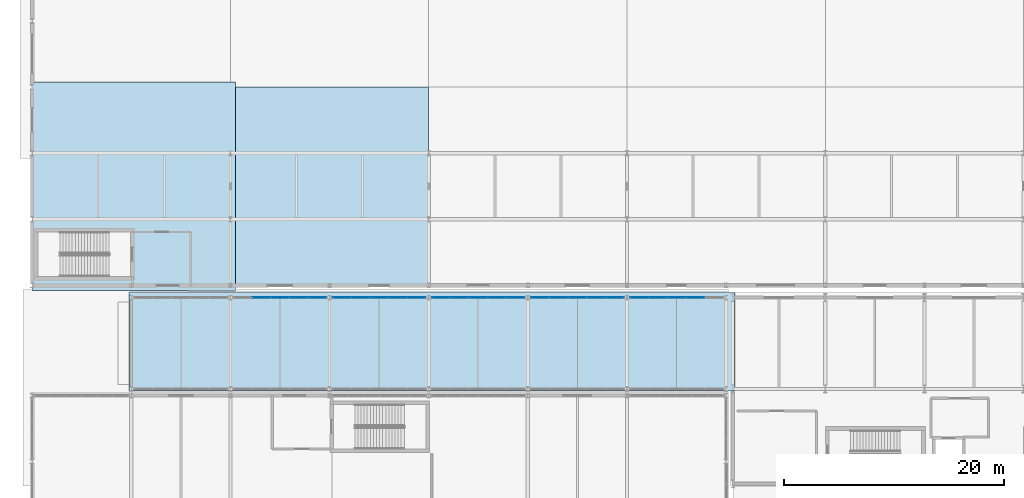
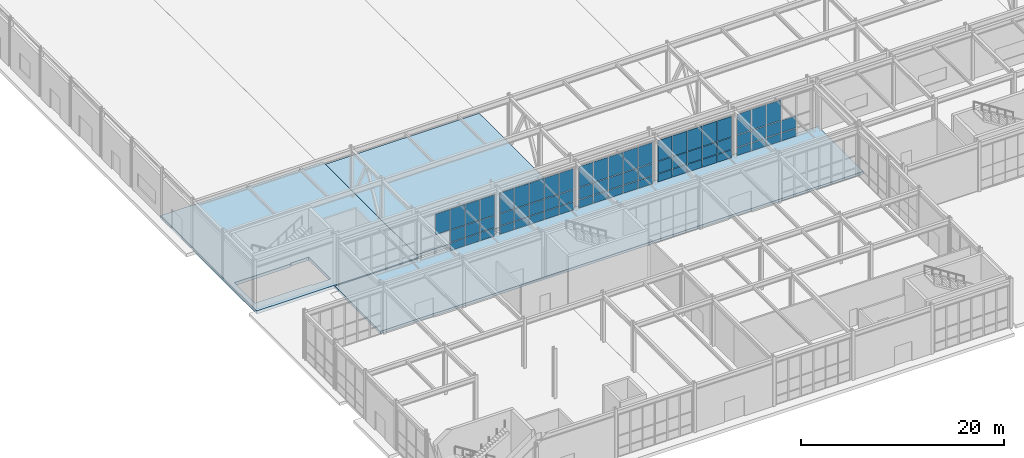
# One storey, part 106 of 146: 66 plates, 3 slabs, 5 elements without a shape of their own.
"""IFC4 building model written with IfcOpenShell, lengths in metres."""

from ifc_helpers import new_model, si_unit, direction, frame, origin, origin_2d, place, context, subcontext, project, spatial, polyline, rectangle, outline, extrude, material, layer, layer_set, type_object, element, aggregate, save


model = new_model("IFC4")

# Units and contexts
model_context = context("Model", 3, precision=1e-05, world=origin(), true_north=direction((0.0, 1.0)))
body_context = subcontext(model_context, "Body", "Model", "MODEL_VIEW")
ifc_project = project(units=[si_unit("LENGTHUNIT", "METRE"), si_unit("AREAUNIT", "SQUARE_METRE"), si_unit("VOLUMEUNIT", "CUBIC_METRE"), si_unit("PLANEANGLEUNIT", "RADIAN"), si_unit("MASSUNIT", "GRAM", prefix="KILO")], contexts=[model_context])

# Site, building, storey
site_placement = place(None, origin())
site = spatial("IfcSite", under=ifc_project, at=site_placement, CompositionType="ELEMENT")
building_placement = place(site_placement, origin())
building = spatial("IfcBuilding", under=site, at=building_placement, Name="Kaldris Quays Convention Centre", CompositionType="ELEMENT")
storey_placement = place(building_placement, origin())
storey = spatial("IfcBuildingStorey", under=building, at=storey_placement, Name="L00", CompositionType="ELEMENT", Elevation=0.0)

# Curtain wall, plates
ifc_material_1 = material(Name="Anodized aluminium AW-6060 and triple glazing", Category="aluminium")
curtain_wall_type = type_object("IfcCurtainWallType", Name="UNITISED CURTAIN WALL CW02", PredefinedType="NOTDEFINED", material=ifc_material_1)
curtain_wall_1_placement = place(storey_placement, origin())
curtain_wall_1 = element("IfcCurtainWall", 1, at=curtain_wall_1_placement, inside=storey, type_object=curtain_wall_type, Name="L00 Unitised Curtain Wall CW02 81", PredefinedType="NOTDEFINED")
ifc_material_2 = material(Name="Triple low-E insulated glazing", Category="glass")
plate_type_1 = type_object("IfcPlateType", Name="CURTAIN GLAZING PANEL CWP1", PredefinedType="CURTAIN_PANEL", material=ifc_material_2)
plate_1_placement = place(storey_placement, frame((40.800048828125, 54.89990234375, 2.580078125), z_axis=(0.0, 0.0, 1.0), x_axis=(1.0, 0.0, 0.0)))
plate_1 = element("IfcPlate", 2, at=plate_1_placement, type_object=plate_type_1, Name="CW02 panel 2.3", PredefinedType="CURTAIN_PANEL", context=body_context, shape_type="SweptSolid", body=[
    extrude(rectangle(XDim=1.639892578125, YDim=0.029052734375, at=origin_2d()), origin(), (0.0, 0.0, 1.0), 2.4599609375),
])
plate_2_placement = place(storey_placement, frame((42.5, 54.89990234375, 0.06005859375), z_axis=(0.0, 0.0, 1.0), x_axis=(1.0, 0.0, 0.0)))
plate_2 = element("IfcPlate", 3, at=plate_2_placement, type_object=plate_type_1, Name="CW02 panel 3.1", PredefinedType="CURTAIN_PANEL", context=body_context, shape_type="SweptSolid", body=[
    extrude(rectangle(XDim=1.639892578125, YDim=0.029052734375, at=origin_2d()), origin(), (0.0, 0.0, 1.0), 0.9599609375),
])
plate_3_placement = place(storey_placement, frame((42.5, 54.89990234375, 1.080078125), z_axis=(0.0, 0.0, 1.0), x_axis=(1.0, 0.0, 0.0)))
plate_3 = element("IfcPlate", 4, at=plate_3_placement, type_object=plate_type_1, Name="CW02 panel 3.2", PredefinedType="CURTAIN_PANEL", context=body_context, shape_type="SweptSolid", body=[
    extrude(rectangle(XDim=1.639892578125, YDim=0.029052734375, at=origin_2d()), origin(), (0.0, 0.0, 1.0), 1.43994140625),
])
plate_4_placement = place(storey_placement, frame((42.5, 54.89990234375, 2.580078125), z_axis=(0.0, 0.0, 1.0), x_axis=(1.0, 0.0, 0.0)))
plate_4 = element("IfcPlate", 5, at=plate_4_placement, type_object=plate_type_1, Name="CW02 panel 3.3", PredefinedType="CURTAIN_PANEL", context=body_context, shape_type="SweptSolid", body=[
    extrude(rectangle(XDim=1.639892578125, YDim=0.029052734375, at=origin_2d()), origin(), (0.0, 0.0, 1.0), 2.4599609375),
])
plate_5_placement = place(storey_placement, frame((44.199951171875, 54.89990234375, 0.06005859375), z_axis=(0.0, 0.0, 1.0), x_axis=(1.0, 0.0, 0.0)))
plate_5 = element("IfcPlate", 6, at=plate_5_placement, type_object=plate_type_1, Name="CW02 panel 4.1", PredefinedType="CURTAIN_PANEL", context=body_context, shape_type="SweptSolid", body=[
    extrude(rectangle(XDim=1.639892578125, YDim=0.029052734375, at=origin_2d()), origin(), (0.0, 0.0, 1.0), 0.9599609375),
])
plate_6_placement = place(storey_placement, frame((44.199951171875, 54.89990234375, 1.080078125), z_axis=(0.0, 0.0, 1.0), x_axis=(1.0, 0.0, 0.0)))
plate_6 = element("IfcPlate", 7, at=plate_6_placement, type_object=plate_type_1, Name="CW02 panel 4.2", PredefinedType="CURTAIN_PANEL", context=body_context, shape_type="SweptSolid", body=[
    extrude(rectangle(XDim=1.639892578125, YDim=0.029052734375, at=origin_2d()), origin(), (0.0, 0.0, 1.0), 1.43994140625),
])
plate_7_placement = place(storey_placement, frame((44.199951171875, 54.89990234375, 2.580078125), z_axis=(0.0, 0.0, 1.0), x_axis=(1.0, 0.0, 0.0)))
plate_7 = element("IfcPlate", 8, at=plate_7_placement, type_object=plate_type_1, Name="CW02 panel 4.3", PredefinedType="CURTAIN_PANEL", context=body_context, shape_type="SweptSolid", body=[
    extrude(rectangle(XDim=1.639892578125, YDim=0.029052734375, at=origin_2d()), origin(), (0.0, 0.0, 1.0), 2.4599609375),
])
plate_8_placement = place(storey_placement, frame((45.885009765625, 54.89990234375, 0.06005859375), z_axis=(0.0, 0.0, 1.0), x_axis=(1.0, 0.0, 0.0)))
plate_8 = element("IfcPlate", 9, at=plate_8_placement, type_object=plate_type_1, Name="CW02 panel 5.1", PredefinedType="CURTAIN_PANEL", context=body_context, shape_type="SweptSolid", body=[
    extrude(rectangle(XDim=1.610107421875, YDim=0.029052734375, at=origin_2d()), origin(), (0.0, 0.0, 1.0), 0.9599609375),
])
plate_9_placement = place(storey_placement, frame((45.885009765625, 54.89990234375, 1.080078125), z_axis=(0.0, 0.0, 1.0), x_axis=(1.0, 0.0, 0.0)))
plate_9 = element("IfcPlate", 10, at=plate_9_placement, type_object=plate_type_1, Name="CW02 panel 5.2", PredefinedType="CURTAIN_PANEL", context=body_context, shape_type="SweptSolid", body=[
    extrude(rectangle(XDim=1.610107421875, YDim=0.029052734375, at=origin_2d()), origin(), (0.0, 0.0, 1.0), 1.43994140625),
])
plate_10_placement = place(storey_placement, frame((45.885009765625, 54.89990234375, 2.580078125), z_axis=(0.0, 0.0, 1.0), x_axis=(1.0, 0.0, 0.0)))
plate_10 = element("IfcPlate", 11, at=plate_10_placement, type_object=plate_type_1, Name="CW02 panel 5.3", PredefinedType="CURTAIN_PANEL", context=body_context, shape_type="SweptSolid", body=[
    extrude(rectangle(XDim=1.610107421875, YDim=0.029052734375, at=origin_2d()), origin(), (0.0, 0.0, 1.0), 2.4599609375),
])
aggregate(curtain_wall_1, [plate_1, plate_2, plate_3, plate_4, plate_5, plate_6, plate_7, plate_8, plate_9, plate_10])

curtain_wall_2_placement = place(storey_placement, origin())
curtain_wall_2 = element("IfcCurtainWall", 12, at=curtain_wall_2_placement, inside=storey, type_object=curtain_wall_type, Name="L00 Unitised Curtain Wall CW02 89", PredefinedType="NOTDEFINED")
plate_11_placement = place(storey_placement, frame((75.114990234375, 54.89990234375, 0.06005859375), z_axis=(0.0, 0.0, 1.0), x_axis=(1.0, 0.0, 0.0)))
plate_11 = element("IfcPlate", 13, at=plate_11_placement, type_object=plate_type_1, Name="CW02 panel 1.1", PredefinedType="CURTAIN_PANEL", context=body_context, shape_type="SweptSolid", body=[
    extrude(rectangle(XDim=1.610107421875, YDim=0.029052734375, at=origin_2d()), origin(), (0.0, 0.0, 1.0), 0.9599609375),
])
plate_12_placement = place(storey_placement, frame((75.114990234375, 54.89990234375, 1.080078125), z_axis=(0.0, 0.0, 1.0), x_axis=(1.0, 0.0, 0.0)))
plate_12 = element("IfcPlate", 14, at=plate_12_placement, type_object=plate_type_1, Name="CW02 panel 1.2", PredefinedType="CURTAIN_PANEL", context=body_context, shape_type="SweptSolid", body=[
    extrude(rectangle(XDim=1.610107421875, YDim=0.029052734375, at=origin_2d()), origin(), (0.0, 0.0, 1.0), 1.43994140625),
])
plate_13_placement = place(storey_placement, frame((75.114990234375, 54.89990234375, 2.580078125), z_axis=(0.0, 0.0, 1.0), x_axis=(1.0, 0.0, 0.0)))
plate_13 = element("IfcPlate", 15, at=plate_13_placement, type_object=plate_type_1, Name="CW02 panel 1.3", PredefinedType="CURTAIN_PANEL", context=body_context, shape_type="SweptSolid", body=[
    extrude(rectangle(XDim=1.610107421875, YDim=0.029052734375, at=origin_2d()), origin(), (0.0, 0.0, 1.0), 2.4599609375),
])
plate_14_placement = place(storey_placement, frame((76.800048828125, 54.89990234375, 0.06005859375), z_axis=(0.0, 0.0, 1.0), x_axis=(1.0, 0.0, 0.0)))
plate_14 = element("IfcPlate", 16, at=plate_14_placement, type_object=plate_type_1, Name="CW02 panel 2.1", PredefinedType="CURTAIN_PANEL", context=body_context, shape_type="SweptSolid", body=[
    extrude(rectangle(XDim=1.639892578125, YDim=0.029052734375, at=origin_2d()), origin(), (0.0, 0.0, 1.0), 0.9599609375),
])
plate_15_placement = place(storey_placement, frame((76.800048828125, 54.89990234375, 1.080078125), z_axis=(0.0, 0.0, 1.0), x_axis=(1.0, 0.0, 0.0)))
plate_15 = element("IfcPlate", 17, at=plate_15_placement, type_object=plate_type_1, Name="CW02 panel 2.2", PredefinedType="CURTAIN_PANEL", context=body_context, shape_type="SweptSolid", body=[
    extrude(rectangle(XDim=1.639892578125, YDim=0.029052734375, at=origin_2d()), origin(), (0.0, 0.0, 1.0), 1.43994140625),
])
plate_16_placement = place(storey_placement, frame((76.800048828125, 54.89990234375, 2.580078125), z_axis=(0.0, 0.0, 1.0), x_axis=(1.0, 0.0, 0.0)))
plate_16 = element("IfcPlate", 18, at=plate_16_placement, type_object=plate_type_1, Name="CW02 panel 2.3", PredefinedType="CURTAIN_PANEL", context=body_context, shape_type="SweptSolid", body=[
    extrude(rectangle(XDim=1.639892578125, YDim=0.029052734375, at=origin_2d()), origin(), (0.0, 0.0, 1.0), 2.4599609375),
])
plate_17_placement = place(storey_placement, frame((78.5, 54.89990234375, 0.06005859375), z_axis=(0.0, 0.0, 1.0), x_axis=(1.0, 0.0, 0.0)))
plate_17 = element("IfcPlate", 19, at=plate_17_placement, type_object=plate_type_1, Name="CW02 panel 3.1", PredefinedType="CURTAIN_PANEL", context=body_context, shape_type="SweptSolid", body=[
    extrude(rectangle(XDim=1.639892578125, YDim=0.029052734375, at=origin_2d()), origin(), (0.0, 0.0, 1.0), 0.9599609375),
])
plate_18_placement = place(storey_placement, frame((78.5, 54.89990234375, 1.080078125), z_axis=(0.0, 0.0, 1.0), x_axis=(1.0, 0.0, 0.0)))
plate_18 = element("IfcPlate", 20, at=plate_18_placement, type_object=plate_type_1, Name="CW02 panel 3.2", PredefinedType="CURTAIN_PANEL", context=body_context, shape_type="SweptSolid", body=[
    extrude(rectangle(XDim=1.639892578125, YDim=0.029052734375, at=origin_2d()), origin(), (0.0, 0.0, 1.0), 1.43994140625),
])
plate_19_placement = place(storey_placement, frame((78.5, 54.89990234375, 2.580078125), z_axis=(0.0, 0.0, 1.0), x_axis=(1.0, 0.0, 0.0)))
plate_19 = element("IfcPlate", 21, at=plate_19_placement, type_object=plate_type_1, Name="CW02 panel 3.3", PredefinedType="CURTAIN_PANEL", context=body_context, shape_type="SweptSolid", body=[
    extrude(rectangle(XDim=1.639892578125, YDim=0.029052734375, at=origin_2d()), origin(), (0.0, 0.0, 1.0), 2.4599609375),
])
plate_20_placement = place(storey_placement, frame((80.199951171875, 54.89990234375, 0.06005859375), z_axis=(0.0, 0.0, 1.0), x_axis=(1.0, 0.0, 0.0)))
plate_20 = element("IfcPlate", 22, at=plate_20_placement, type_object=plate_type_1, Name="CW02 panel 4.1", PredefinedType="CURTAIN_PANEL", context=body_context, shape_type="SweptSolid", body=[
    extrude(rectangle(XDim=1.639892578125, YDim=0.029052734375, at=origin_2d()), origin(), (0.0, 0.0, 1.0), 0.9599609375),
])
plate_21_placement = place(storey_placement, frame((80.199951171875, 54.89990234375, 1.080078125), z_axis=(0.0, 0.0, 1.0), x_axis=(1.0, 0.0, 0.0)))
plate_21 = element("IfcPlate", 23, at=plate_21_placement, type_object=plate_type_1, Name="CW02 panel 4.2", PredefinedType="CURTAIN_PANEL", context=body_context, shape_type="SweptSolid", body=[
    extrude(rectangle(XDim=1.639892578125, YDim=0.029052734375, at=origin_2d()), origin(), (0.0, 0.0, 1.0), 1.43994140625),
])
aggregate(curtain_wall_2, [plate_11, plate_12, plate_13, plate_14, plate_15, plate_16, plate_17, plate_18, plate_19, plate_20, plate_21])

curtain_wall_3_placement = place(storey_placement, origin())
curtain_wall_3 = element("IfcCurtainWall", 24, at=curtain_wall_3_placement, inside=storey, type_object=curtain_wall_type, Name="L00 Unitised Curtain Wall CW02 83", PredefinedType="NOTDEFINED")
plate_type_2 = type_object("IfcPlateType", Name="CURTAIN GLAZING PANEL CWP3", PredefinedType="CURTAIN_PANEL", material=ifc_material_2)
plate_22_placement = place(storey_placement, frame((48.114990234375, 54.89990234375, 0.06005859375), z_axis=(0.0, 0.0, 1.0), x_axis=(1.0, 0.0, 0.0)))
plate_22 = element("IfcPlate", 25, at=plate_22_placement, type_object=plate_type_2, Name="CW02 panel 1.1", PredefinedType="CURTAIN_PANEL", context=body_context, shape_type="SweptSolid", body=[
    extrude(rectangle(XDim=1.610107421875, YDim=0.0390625, at=origin_2d()), origin(), (0.0, 0.0, 1.0), 0.9599609375),
])
plate_23_placement = place(storey_placement, frame((48.114990234375, 54.89990234375, 1.080078125), z_axis=(0.0, 0.0, 1.0), x_axis=(1.0, 0.0, 0.0)))
plate_23 = element("IfcPlate", 26, at=plate_23_placement, type_object=plate_type_2, Name="CW02 panel 1.2", PredefinedType="CURTAIN_PANEL", context=body_context, shape_type="SweptSolid", body=[
    extrude(rectangle(XDim=1.610107421875, YDim=0.0390625, at=origin_2d()), origin(), (0.0, 0.0, 1.0), 1.43994140625),
])
plate_24_placement = place(storey_placement, frame((48.114990234375, 54.89990234375, 2.580078125), z_axis=(0.0, 0.0, 1.0), x_axis=(1.0, 0.0, 0.0)))
plate_24 = element("IfcPlate", 27, at=plate_24_placement, type_object=plate_type_2, Name="CW02 panel 1.3", PredefinedType="CURTAIN_PANEL", context=body_context, shape_type="SweptSolid", body=[
    extrude(rectangle(XDim=1.610107421875, YDim=0.0390625, at=origin_2d()), origin(), (0.0, 0.0, 1.0), 2.4599609375),
])
plate_25_placement = place(storey_placement, frame((49.800048828125, 54.89990234375, 0.06005859375), z_axis=(0.0, 0.0, 1.0), x_axis=(1.0, 0.0, 0.0)))
plate_25 = element("IfcPlate", 28, at=plate_25_placement, type_object=plate_type_2, Name="CW02 panel 2.1", PredefinedType="CURTAIN_PANEL", context=body_context, shape_type="SweptSolid", body=[
    extrude(rectangle(XDim=1.639892578125, YDim=0.0390625, at=origin_2d()), origin(), (0.0, 0.0, 1.0), 0.9599609375),
])
plate_26_placement = place(storey_placement, frame((49.800048828125, 54.89990234375, 1.080078125), z_axis=(0.0, 0.0, 1.0), x_axis=(1.0, 0.0, 0.0)))
plate_26 = element("IfcPlate", 29, at=plate_26_placement, type_object=plate_type_2, Name="CW02 panel 2.2", PredefinedType="CURTAIN_PANEL", context=body_context, shape_type="SweptSolid", body=[
    extrude(rectangle(XDim=1.639892578125, YDim=0.0390625, at=origin_2d()), origin(), (0.0, 0.0, 1.0), 1.43994140625),
])
plate_27_placement = place(storey_placement, frame((49.800048828125, 54.89990234375, 2.580078125), z_axis=(0.0, 0.0, 1.0), x_axis=(1.0, 0.0, 0.0)))
plate_27 = element("IfcPlate", 30, at=plate_27_placement, type_object=plate_type_2, Name="CW02 panel 2.3", PredefinedType="CURTAIN_PANEL", context=body_context, shape_type="SweptSolid", body=[
    extrude(rectangle(XDim=1.639892578125, YDim=0.0390625, at=origin_2d()), origin(), (0.0, 0.0, 1.0), 2.4599609375),
])
plate_28_placement = place(storey_placement, frame((51.5, 54.89990234375, 0.06005859375), z_axis=(0.0, 0.0, 1.0), x_axis=(1.0, 0.0, 0.0)))
plate_28 = element("IfcPlate", 31, at=plate_28_placement, type_object=plate_type_2, Name="CW02 panel 3.1", PredefinedType="CURTAIN_PANEL", context=body_context, shape_type="SweptSolid", body=[
    extrude(rectangle(XDim=1.639892578125, YDim=0.0390625, at=origin_2d()), origin(), (0.0, 0.0, 1.0), 0.9599609375),
])
plate_29_placement = place(storey_placement, frame((51.5, 54.89990234375, 1.080078125), z_axis=(0.0, 0.0, 1.0), x_axis=(1.0, 0.0, 0.0)))
plate_29 = element("IfcPlate", 32, at=plate_29_placement, type_object=plate_type_2, Name="CW02 panel 3.2", PredefinedType="CURTAIN_PANEL", context=body_context, shape_type="SweptSolid", body=[
    extrude(rectangle(XDim=1.639892578125, YDim=0.0390625, at=origin_2d()), origin(), (0.0, 0.0, 1.0), 1.43994140625),
])
plate_30_placement = place(storey_placement, frame((51.5, 54.89990234375, 2.580078125), z_axis=(0.0, 0.0, 1.0), x_axis=(1.0, 0.0, 0.0)))
plate_30 = element("IfcPlate", 33, at=plate_30_placement, type_object=plate_type_2, Name="CW02 panel 3.3", PredefinedType="CURTAIN_PANEL", context=body_context, shape_type="SweptSolid", body=[
    extrude(rectangle(XDim=1.639892578125, YDim=0.0390625, at=origin_2d()), origin(), (0.0, 0.0, 1.0), 2.4599609375),
])
plate_31_placement = place(storey_placement, frame((53.199951171875, 54.89990234375, 0.06005859375), z_axis=(0.0, 0.0, 1.0), x_axis=(1.0, 0.0, 0.0)))
plate_31 = element("IfcPlate", 34, at=plate_31_placement, type_object=plate_type_2, Name="CW02 panel 4.1", PredefinedType="CURTAIN_PANEL", context=body_context, shape_type="SweptSolid", body=[
    extrude(rectangle(XDim=1.639892578125, YDim=0.0390625, at=origin_2d()), origin(), (0.0, 0.0, 1.0), 0.9599609375),
])
plate_32_placement = place(storey_placement, frame((53.199951171875, 54.89990234375, 1.080078125), z_axis=(0.0, 0.0, 1.0), x_axis=(1.0, 0.0, 0.0)))
plate_32 = element("IfcPlate", 35, at=plate_32_placement, type_object=plate_type_2, Name="CW02 panel 4.2", PredefinedType="CURTAIN_PANEL", context=body_context, shape_type="SweptSolid", body=[
    extrude(rectangle(XDim=1.639892578125, YDim=0.0390625, at=origin_2d()), origin(), (0.0, 0.0, 1.0), 1.43994140625),
])
plate_33_placement = place(storey_placement, frame((53.199951171875, 54.89990234375, 2.580078125), z_axis=(0.0, 0.0, 1.0), x_axis=(1.0, 0.0, 0.0)))
plate_33 = element("IfcPlate", 36, at=plate_33_placement, type_object=plate_type_2, Name="CW02 panel 4.3", PredefinedType="CURTAIN_PANEL", context=body_context, shape_type="SweptSolid", body=[
    extrude(rectangle(XDim=1.639892578125, YDim=0.0390625, at=origin_2d()), origin(), (0.0, 0.0, 1.0), 2.4599609375),
])
plate_34_placement = place(storey_placement, frame((54.885009765625, 54.89990234375, 0.06005859375), z_axis=(0.0, 0.0, 1.0), x_axis=(1.0, 0.0, 0.0)))
plate_34 = element("IfcPlate", 37, at=plate_34_placement, type_object=plate_type_2, Name="CW02 panel 5.1", PredefinedType="CURTAIN_PANEL", context=body_context, shape_type="SweptSolid", body=[
    extrude(rectangle(XDim=1.610107421875, YDim=0.0390625, at=origin_2d()), origin(), (0.0, 0.0, 1.0), 0.9599609375),
])
plate_35_placement = place(storey_placement, frame((54.885009765625, 54.89990234375, 1.080078125), z_axis=(0.0, 0.0, 1.0), x_axis=(1.0, 0.0, 0.0)))
plate_35 = element("IfcPlate", 38, at=plate_35_placement, type_object=plate_type_2, Name="CW02 panel 5.2", PredefinedType="CURTAIN_PANEL", context=body_context, shape_type="SweptSolid", body=[
    extrude(rectangle(XDim=1.610107421875, YDim=0.0390625, at=origin_2d()), origin(), (0.0, 0.0, 1.0), 1.43994140625),
])
plate_36_placement = place(storey_placement, frame((54.885009765625, 54.89990234375, 2.580078125), z_axis=(0.0, 0.0, 1.0), x_axis=(1.0, 0.0, 0.0)))
plate_36 = element("IfcPlate", 39, at=plate_36_placement, type_object=plate_type_2, Name="CW02 panel 5.3", PredefinedType="CURTAIN_PANEL", context=body_context, shape_type="SweptSolid", body=[
    extrude(rectangle(XDim=1.610107421875, YDim=0.0390625, at=origin_2d()), origin(), (0.0, 0.0, 1.0), 2.4599609375),
])
aggregate(curtain_wall_3, [plate_22, plate_23, plate_24, plate_25, plate_26, plate_27, plate_28, plate_29, plate_30, plate_31, plate_32, plate_33, plate_34, plate_35, plate_36])

curtain_wall_4_placement = place(storey_placement, origin())
curtain_wall_4 = element("IfcCurtainWall", 40, at=curtain_wall_4_placement, inside=storey, type_object=curtain_wall_type, Name="L00 Unitised Curtain Wall CW02 85", PredefinedType="NOTDEFINED")
plate_type_3 = type_object("IfcPlateType", Name="CURTAIN GLAZING PANEL CWP5", PredefinedType="CURTAIN_PANEL", material=ifc_material_2)
plate_37_placement = place(storey_placement, frame((57.114990234375, 54.89990234375, 0.06005859375), z_axis=(0.0, 0.0, 1.0), x_axis=(1.0, 0.0, 0.0)))
plate_37 = element("IfcPlate", 41, at=plate_37_placement, type_object=plate_type_3, Name="CW02 panel 1.1", PredefinedType="CURTAIN_PANEL", context=body_context, shape_type="SweptSolid", body=[
    extrude(rectangle(XDim=1.610107421875, YDim=0.049072265625, at=origin_2d()), origin(), (0.0, 0.0, 1.0), 0.9599609375),
])
plate_38_placement = place(storey_placement, frame((57.114990234375, 54.89990234375, 1.080078125), z_axis=(0.0, 0.0, 1.0), x_axis=(1.0, 0.0, 0.0)))
plate_38 = element("IfcPlate", 42, at=plate_38_placement, type_object=plate_type_3, Name="CW02 panel 1.2", PredefinedType="CURTAIN_PANEL", context=body_context, shape_type="SweptSolid", body=[
    extrude(rectangle(XDim=1.610107421875, YDim=0.049072265625, at=origin_2d()), origin(), (0.0, 0.0, 1.0), 1.43994140625),
])
plate_39_placement = place(storey_placement, frame((57.114990234375, 54.89990234375, 2.580078125), z_axis=(0.0, 0.0, 1.0), x_axis=(1.0, 0.0, 0.0)))
plate_39 = element("IfcPlate", 43, at=plate_39_placement, type_object=plate_type_3, Name="CW02 panel 1.3", PredefinedType="CURTAIN_PANEL", context=body_context, shape_type="SweptSolid", body=[
    extrude(rectangle(XDim=1.610107421875, YDim=0.049072265625, at=origin_2d()), origin(), (0.0, 0.0, 1.0), 2.4599609375),
])
plate_40_placement = place(storey_placement, frame((58.800048828125, 54.89990234375, 0.06005859375), z_axis=(0.0, 0.0, 1.0), x_axis=(1.0, 0.0, 0.0)))
plate_40 = element("IfcPlate", 44, at=plate_40_placement, type_object=plate_type_3, Name="CW02 panel 2.1", PredefinedType="CURTAIN_PANEL", context=body_context, shape_type="SweptSolid", body=[
    extrude(rectangle(XDim=1.639892578125, YDim=0.049072265625, at=origin_2d()), origin(), (0.0, 0.0, 1.0), 0.9599609375),
])
plate_41_placement = place(storey_placement, frame((58.800048828125, 54.89990234375, 1.080078125), z_axis=(0.0, 0.0, 1.0), x_axis=(1.0, 0.0, 0.0)))
plate_41 = element("IfcPlate", 45, at=plate_41_placement, type_object=plate_type_3, Name="CW02 panel 2.2", PredefinedType="CURTAIN_PANEL", context=body_context, shape_type="SweptSolid", body=[
    extrude(rectangle(XDim=1.639892578125, YDim=0.049072265625, at=origin_2d()), origin(), (0.0, 0.0, 1.0), 1.43994140625),
])
plate_42_placement = place(storey_placement, frame((58.800048828125, 54.89990234375, 2.580078125), z_axis=(0.0, 0.0, 1.0), x_axis=(1.0, 0.0, 0.0)))
plate_42 = element("IfcPlate", 46, at=plate_42_placement, type_object=plate_type_3, Name="CW02 panel 2.3", PredefinedType="CURTAIN_PANEL", context=body_context, shape_type="SweptSolid", body=[
    extrude(rectangle(XDim=1.639892578125, YDim=0.049072265625, at=origin_2d()), origin(), (0.0, 0.0, 1.0), 2.4599609375),
])
plate_43_placement = place(storey_placement, frame((60.5, 54.89990234375, 0.06005859375), z_axis=(0.0, 0.0, 1.0), x_axis=(1.0, 0.0, 0.0)))
plate_43 = element("IfcPlate", 47, at=plate_43_placement, type_object=plate_type_3, Name="CW02 panel 3.1", PredefinedType="CURTAIN_PANEL", context=body_context, shape_type="SweptSolid", body=[
    extrude(rectangle(XDim=1.639892578125, YDim=0.049072265625, at=origin_2d()), origin(), (0.0, 0.0, 1.0), 0.9599609375),
])
plate_44_placement = place(storey_placement, frame((60.5, 54.89990234375, 1.080078125), z_axis=(0.0, 0.0, 1.0), x_axis=(1.0, 0.0, 0.0)))
plate_44 = element("IfcPlate", 48, at=plate_44_placement, type_object=plate_type_3, Name="CW02 panel 3.2", PredefinedType="CURTAIN_PANEL", context=body_context, shape_type="SweptSolid", body=[
    extrude(rectangle(XDim=1.639892578125, YDim=0.049072265625, at=origin_2d()), origin(), (0.0, 0.0, 1.0), 1.43994140625),
])
plate_45_placement = place(storey_placement, frame((60.5, 54.89990234375, 2.580078125), z_axis=(0.0, 0.0, 1.0), x_axis=(1.0, 0.0, 0.0)))
plate_45 = element("IfcPlate", 49, at=plate_45_placement, type_object=plate_type_3, Name="CW02 panel 3.3", PredefinedType="CURTAIN_PANEL", context=body_context, shape_type="SweptSolid", body=[
    extrude(rectangle(XDim=1.639892578125, YDim=0.049072265625, at=origin_2d()), origin(), (0.0, 0.0, 1.0), 2.4599609375),
])
plate_46_placement = place(storey_placement, frame((62.199951171875, 54.89990234375, 0.06005859375), z_axis=(0.0, 0.0, 1.0), x_axis=(1.0, 0.0, 0.0)))
plate_46 = element("IfcPlate", 50, at=plate_46_placement, type_object=plate_type_3, Name="CW02 panel 4.1", PredefinedType="CURTAIN_PANEL", context=body_context, shape_type="SweptSolid", body=[
    extrude(rectangle(XDim=1.639892578125, YDim=0.049072265625, at=origin_2d()), origin(), (0.0, 0.0, 1.0), 0.9599609375),
])
plate_47_placement = place(storey_placement, frame((62.199951171875, 54.89990234375, 1.080078125), z_axis=(0.0, 0.0, 1.0), x_axis=(1.0, 0.0, 0.0)))
plate_47 = element("IfcPlate", 51, at=plate_47_placement, type_object=plate_type_3, Name="CW02 panel 4.2", PredefinedType="CURTAIN_PANEL", context=body_context, shape_type="SweptSolid", body=[
    extrude(rectangle(XDim=1.639892578125, YDim=0.049072265625, at=origin_2d()), origin(), (0.0, 0.0, 1.0), 1.43994140625),
])
plate_48_placement = place(storey_placement, frame((62.199951171875, 54.89990234375, 2.580078125), z_axis=(0.0, 0.0, 1.0), x_axis=(1.0, 0.0, 0.0)))
plate_48 = element("IfcPlate", 52, at=plate_48_placement, type_object=plate_type_3, Name="CW02 panel 4.3", PredefinedType="CURTAIN_PANEL", context=body_context, shape_type="SweptSolid", body=[
    extrude(rectangle(XDim=1.639892578125, YDim=0.049072265625, at=origin_2d()), origin(), (0.0, 0.0, 1.0), 2.4599609375),
])
plate_49_placement = place(storey_placement, frame((63.885009765625, 54.89990234375, 0.06005859375), z_axis=(0.0, 0.0, 1.0), x_axis=(1.0, 0.0, 0.0)))
plate_49 = element("IfcPlate", 53, at=plate_49_placement, type_object=plate_type_3, Name="CW02 panel 5.1", PredefinedType="CURTAIN_PANEL", context=body_context, shape_type="SweptSolid", body=[
    extrude(rectangle(XDim=1.610107421875, YDim=0.049072265625, at=origin_2d()), origin(), (0.0, 0.0, 1.0), 0.9599609375),
])
plate_50_placement = place(storey_placement, frame((63.885009765625, 54.89990234375, 1.080078125), z_axis=(0.0, 0.0, 1.0), x_axis=(1.0, 0.0, 0.0)))
plate_50 = element("IfcPlate", 54, at=plate_50_placement, type_object=plate_type_3, Name="CW02 panel 5.2", PredefinedType="CURTAIN_PANEL", context=body_context, shape_type="SweptSolid", body=[
    extrude(rectangle(XDim=1.610107421875, YDim=0.049072265625, at=origin_2d()), origin(), (0.0, 0.0, 1.0), 1.43994140625),
])
plate_51_placement = place(storey_placement, frame((63.885009765625, 54.89990234375, 2.580078125), z_axis=(0.0, 0.0, 1.0), x_axis=(1.0, 0.0, 0.0)))
plate_51 = element("IfcPlate", 55, at=plate_51_placement, type_object=plate_type_3, Name="CW02 panel 5.3", PredefinedType="CURTAIN_PANEL", context=body_context, shape_type="SweptSolid", body=[
    extrude(rectangle(XDim=1.610107421875, YDim=0.049072265625, at=origin_2d()), origin(), (0.0, 0.0, 1.0), 2.4599609375),
])
aggregate(curtain_wall_4, [plate_37, plate_38, plate_39, plate_40, plate_41, plate_42, plate_43, plate_44, plate_45, plate_46, plate_47, plate_48, plate_49, plate_50, plate_51])

curtain_wall_5_placement = place(storey_placement, origin())
curtain_wall_5 = element("IfcCurtainWall", 56, at=curtain_wall_5_placement, inside=storey, type_object=curtain_wall_type, Name="L00 Unitised Curtain Wall CW02 87", PredefinedType="NOTDEFINED")
plate_type_4 = type_object("IfcPlateType", Name="CURTAIN GLAZING PANEL CWP7", PredefinedType="CURTAIN_PANEL", material=ifc_material_2)
plate_52_placement = place(storey_placement, frame((66.114990234375, 54.89990234375, 0.06005859375), z_axis=(0.0, 0.0, 1.0), x_axis=(1.0, 0.0, 0.0)))
plate_52 = element("IfcPlate", 57, at=plate_52_placement, type_object=plate_type_4, Name="CW02 panel 1.1", PredefinedType="CURTAIN_PANEL", context=body_context, shape_type="SweptSolid", body=[
    extrude(rectangle(XDim=1.610107421875, YDim=0.05908203125, at=origin_2d()), origin(), (0.0, 0.0, 1.0), 0.9599609375),
])
plate_53_placement = place(storey_placement, frame((66.114990234375, 54.89990234375, 1.080078125), z_axis=(0.0, 0.0, 1.0), x_axis=(1.0, 0.0, 0.0)))
plate_53 = element("IfcPlate", 58, at=plate_53_placement, type_object=plate_type_4, Name="CW02 panel 1.2", PredefinedType="CURTAIN_PANEL", context=body_context, shape_type="SweptSolid", body=[
    extrude(rectangle(XDim=1.610107421875, YDim=0.05908203125, at=origin_2d()), origin(), (0.0, 0.0, 1.0), 1.43994140625),
])
plate_54_placement = place(storey_placement, frame((66.114990234375, 54.89990234375, 2.580078125), z_axis=(0.0, 0.0, 1.0), x_axis=(1.0, 0.0, 0.0)))
plate_54 = element("IfcPlate", 59, at=plate_54_placement, type_object=plate_type_4, Name="CW02 panel 1.3", PredefinedType="CURTAIN_PANEL", context=body_context, shape_type="SweptSolid", body=[
    extrude(rectangle(XDim=1.610107421875, YDim=0.05908203125, at=origin_2d()), origin(), (0.0, 0.0, 1.0), 2.4599609375),
])
plate_55_placement = place(storey_placement, frame((67.800048828125, 54.89990234375, 0.06005859375), z_axis=(0.0, 0.0, 1.0), x_axis=(1.0, 0.0, 0.0)))
plate_55 = element("IfcPlate", 60, at=plate_55_placement, type_object=plate_type_4, Name="CW02 panel 2.1", PredefinedType="CURTAIN_PANEL", context=body_context, shape_type="SweptSolid", body=[
    extrude(rectangle(XDim=1.639892578125, YDim=0.05908203125, at=origin_2d()), origin(), (0.0, 0.0, 1.0), 0.9599609375),
])
plate_56_placement = place(storey_placement, frame((67.800048828125, 54.89990234375, 1.080078125), z_axis=(0.0, 0.0, 1.0), x_axis=(1.0, 0.0, 0.0)))
plate_56 = element("IfcPlate", 61, at=plate_56_placement, type_object=plate_type_4, Name="CW02 panel 2.2", PredefinedType="CURTAIN_PANEL", context=body_context, shape_type="SweptSolid", body=[
    extrude(rectangle(XDim=1.639892578125, YDim=0.05908203125, at=origin_2d()), origin(), (0.0, 0.0, 1.0), 1.43994140625),
])
plate_57_placement = place(storey_placement, frame((67.800048828125, 54.89990234375, 2.580078125), z_axis=(0.0, 0.0, 1.0), x_axis=(1.0, 0.0, 0.0)))
plate_57 = element("IfcPlate", 62, at=plate_57_placement, type_object=plate_type_4, Name="CW02 panel 2.3", PredefinedType="CURTAIN_PANEL", context=body_context, shape_type="SweptSolid", body=[
    extrude(rectangle(XDim=1.639892578125, YDim=0.05908203125, at=origin_2d()), origin(), (0.0, 0.0, 1.0), 2.4599609375),
])
plate_58_placement = place(storey_placement, frame((69.5, 54.89990234375, 0.06005859375), z_axis=(0.0, 0.0, 1.0), x_axis=(1.0, 0.0, 0.0)))
plate_58 = element("IfcPlate", 63, at=plate_58_placement, type_object=plate_type_4, Name="CW02 panel 3.1", PredefinedType="CURTAIN_PANEL", context=body_context, shape_type="SweptSolid", body=[
    extrude(rectangle(XDim=1.639892578125, YDim=0.05908203125, at=origin_2d()), origin(), (0.0, 0.0, 1.0), 0.9599609375),
])
plate_59_placement = place(storey_placement, frame((69.5, 54.89990234375, 1.080078125), z_axis=(0.0, 0.0, 1.0), x_axis=(1.0, 0.0, 0.0)))
plate_59 = element("IfcPlate", 64, at=plate_59_placement, type_object=plate_type_4, Name="CW02 panel 3.2", PredefinedType="CURTAIN_PANEL", context=body_context, shape_type="SweptSolid", body=[
    extrude(rectangle(XDim=1.639892578125, YDim=0.05908203125, at=origin_2d()), origin(), (0.0, 0.0, 1.0), 1.43994140625),
])
plate_60_placement = place(storey_placement, frame((69.5, 54.89990234375, 2.580078125), z_axis=(0.0, 0.0, 1.0), x_axis=(1.0, 0.0, 0.0)))
plate_60 = element("IfcPlate", 65, at=plate_60_placement, type_object=plate_type_4, Name="CW02 panel 3.3", PredefinedType="CURTAIN_PANEL", context=body_context, shape_type="SweptSolid", body=[
    extrude(rectangle(XDim=1.639892578125, YDim=0.05908203125, at=origin_2d()), origin(), (0.0, 0.0, 1.0), 2.4599609375),
])
plate_61_placement = place(storey_placement, frame((71.199951171875, 54.89990234375, 0.06005859375), z_axis=(0.0, 0.0, 1.0), x_axis=(1.0, 0.0, 0.0)))
plate_61 = element("IfcPlate", 66, at=plate_61_placement, type_object=plate_type_4, Name="CW02 panel 4.1", PredefinedType="CURTAIN_PANEL", context=body_context, shape_type="SweptSolid", body=[
    extrude(rectangle(XDim=1.639892578125, YDim=0.05908203125, at=origin_2d()), origin(), (0.0, 0.0, 1.0), 0.9599609375),
])
plate_62_placement = place(storey_placement, frame((71.199951171875, 54.89990234375, 1.080078125), z_axis=(0.0, 0.0, 1.0), x_axis=(1.0, 0.0, 0.0)))
plate_62 = element("IfcPlate", 67, at=plate_62_placement, type_object=plate_type_4, Name="CW02 panel 4.2", PredefinedType="CURTAIN_PANEL", context=body_context, shape_type="SweptSolid", body=[
    extrude(rectangle(XDim=1.639892578125, YDim=0.05908203125, at=origin_2d()), origin(), (0.0, 0.0, 1.0), 1.43994140625),
])
plate_63_placement = place(storey_placement, frame((71.199951171875, 54.89990234375, 2.580078125), z_axis=(0.0, 0.0, 1.0), x_axis=(1.0, 0.0, 0.0)))
plate_63 = element("IfcPlate", 68, at=plate_63_placement, type_object=plate_type_4, Name="CW02 panel 4.3", PredefinedType="CURTAIN_PANEL", context=body_context, shape_type="SweptSolid", body=[
    extrude(rectangle(XDim=1.639892578125, YDim=0.05908203125, at=origin_2d()), origin(), (0.0, 0.0, 1.0), 2.4599609375),
])
plate_64_placement = place(storey_placement, frame((72.885009765625, 54.89990234375, 0.06005859375), z_axis=(0.0, 0.0, 1.0), x_axis=(1.0, 0.0, 0.0)))
plate_64 = element("IfcPlate", 69, at=plate_64_placement, type_object=plate_type_4, Name="CW02 panel 5.1", PredefinedType="CURTAIN_PANEL", context=body_context, shape_type="SweptSolid", body=[
    extrude(rectangle(XDim=1.610107421875, YDim=0.05908203125, at=origin_2d()), origin(), (0.0, 0.0, 1.0), 0.9599609375),
])
plate_65_placement = place(storey_placement, frame((72.885009765625, 54.89990234375, 1.080078125), z_axis=(0.0, 0.0, 1.0), x_axis=(1.0, 0.0, 0.0)))
plate_65 = element("IfcPlate", 70, at=plate_65_placement, type_object=plate_type_4, Name="CW02 panel 5.2", PredefinedType="CURTAIN_PANEL", context=body_context, shape_type="SweptSolid", body=[
    extrude(rectangle(XDim=1.610107421875, YDim=0.05908203125, at=origin_2d()), origin(), (0.0, 0.0, 1.0), 1.43994140625),
])
plate_66_placement = place(storey_placement, frame((72.885009765625, 54.89990234375, 2.580078125), z_axis=(0.0, 0.0, 1.0), x_axis=(1.0, 0.0, 0.0)))
plate_66 = element("IfcPlate", 71, at=plate_66_placement, type_object=plate_type_4, Name="CW02 panel 5.3", PredefinedType="CURTAIN_PANEL", context=body_context, shape_type="SweptSolid", body=[
    extrude(rectangle(XDim=1.610107421875, YDim=0.05908203125, at=origin_2d()), origin(), (0.0, 0.0, 1.0), 2.4599609375),
])
aggregate(curtain_wall_5, [plate_52, plate_53, plate_54, plate_55, plate_56, plate_57, plate_58, plate_59, plate_60, plate_61, plate_62, plate_63, plate_64, plate_65, plate_66])

# Slabs
ifc_material_3 = material(Name="Concrete C35/45", Category="concrete")
ifc_layer_1 = layer(ifc_material_3, 0.364990234375)
ifc_layer_set_1 = layer_set([ifc_layer_1], Name="Concrete C35/45")
slab_type_1 = type_object("IfcSlabType", Name="STRUCTURAL SLAB FS01", PredefinedType="FLOOR", material=ifc_layer_set_1)
slab_1_placement = place(storey_placement, frame((0.0, 0.0, -0.364990234375)))
element("IfcSlab", 72, at=slab_1_placement, inside=storey, type_object=slab_type_1, Name="L00 V1 Heavy Slab South 1 SLAB-L00-V1S-1", PredefinedType="FLOOR", context=body_context, shape_type="SweptSolid", body=[
    extrude(outline(polyline([(20.0, 55.52490234375), (20.0, 74.47509765625), (38.47509765625, 74.47509765625), (38.47509765625, 55.52490234375), (20.0, 55.52490234375)]), holes=[polyline([(29.07080078125, 60.9716796875), (26.999755859375, 60.971923828125), (26.998046875, 60.85009765625), (20.550048828125, 60.85009765625), (20.550048828125, 56.800048828125), (26.998046875, 56.800048828125), (26.999755859375, 56.677978515625), (29.07080078125, 56.67822265625), (29.07080078125, 60.9716796875)])]), origin(), (0.0, 0.0, 1.0), 0.364990234375),
])
slab_2_placement = place(storey_placement, frame((0.0, 0.0, -0.364990234375)))
element("IfcSlab", 73, at=slab_2_placement, inside=storey, type_object=slab_type_1, Name="L00 V1 Heavy Slab South 2 SLAB-L00-V1S-2", PredefinedType="FLOOR", context=body_context, shape_type="SweptSolid", body=[
    extrude(outline(polyline([(56.0, 74.0), (56.0, 56.0), (38.47705078125, 56.0), (38.47705078125, 74.0), (56.0, 74.0)])), origin(), (0.0, 0.0, 1.0), 0.364990234375),
])
ifc_layer_2 = layer(ifc_material_3, 0.294921875)
ifc_layer_set_2 = layer_set([ifc_layer_2], Name="Concrete C35/45")
slab_type_2 = type_object("IfcSlabType", Name="STRUCTURAL SLAB FS04", PredefinedType="FLOOR", material=ifc_layer_set_2)
slab_3_placement = place(storey_placement, frame((0.0, 0.0, -0.294921875)))
element("IfcSlab", 74, at=slab_3_placement, inside=storey, type_object=slab_type_2, Name="L00 V4 West Foyer Slab SLAB-L00-V4W", PredefinedType="FLOOR", context=body_context, shape_type="SweptSolid", body=[
    extrude(outline(polyline([(28.800048828125, 46.39990234375), (28.800048828125, 55.375), (83.800048828125, 55.375), (83.800048828125, 46.39990234375), (28.800048828125, 46.39990234375)])), origin(), (0.0, 0.0, 1.0), 0.294921875),
])

save(model, "model.ifc")
